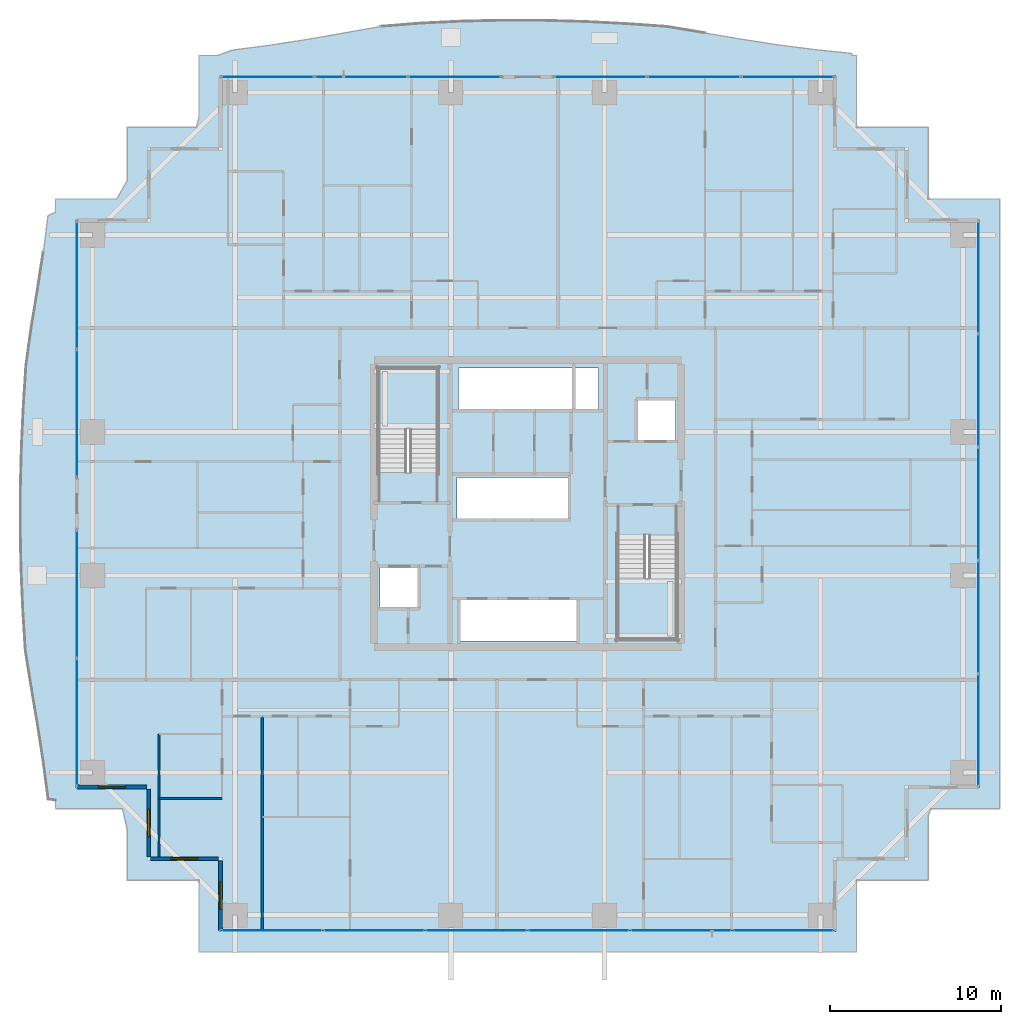
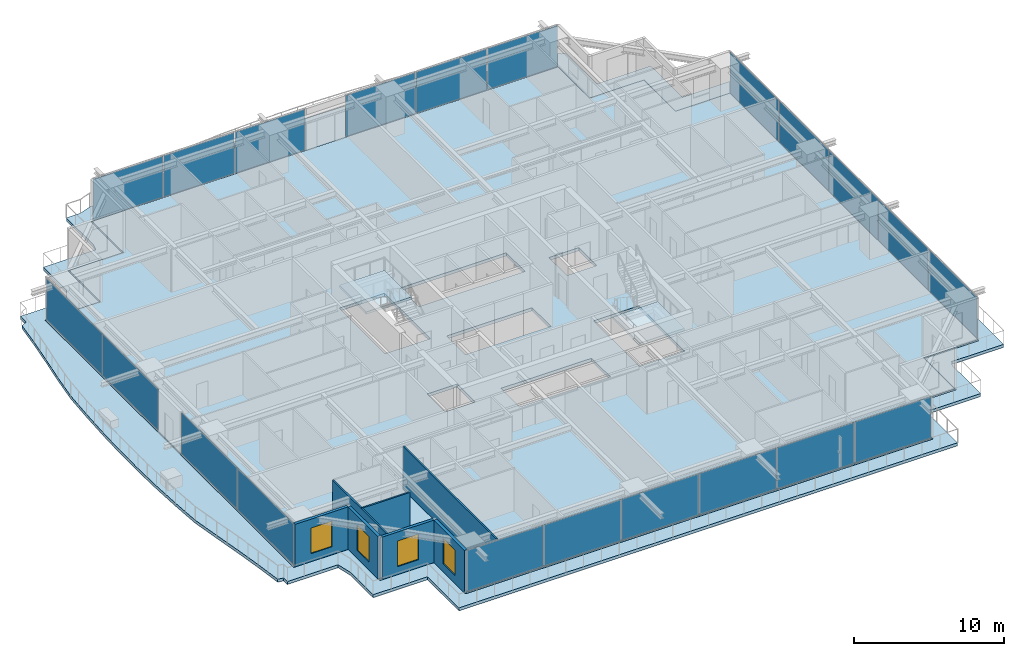
# One storey, part 22 of 36: 21 plates, 7 walls, 4 slabs, 4 windows, 4 openings, 8 elements without a shape of their own.
"""IFC4 building model written with IfcOpenShell, lengths in metres."""

from ifc_helpers import new_model, si_unit, direction, frame, frame_2d, origin, origin_2d, place, context, subcontext, project, spatial, polyline, rectangle, outline, extrude, source, transform, mapped, material, layer, layer_set, type_object, element, fill, aggregate, save


model = new_model("IFC4")

# Units and contexts
model_context = context("Model", 3, precision=1e-05, world=origin(), true_north=direction((0.0, 1.0)))
body_context = subcontext(model_context, "Body", "Model", "MODEL_VIEW")
ifc_project = project(units=[si_unit("LENGTHUNIT", "METRE"), si_unit("AREAUNIT", "SQUARE_METRE"), si_unit("VOLUMEUNIT", "CUBIC_METRE"), si_unit("PLANEANGLEUNIT", "RADIAN"), si_unit("MASSUNIT", "GRAM", prefix="KILO")], contexts=[model_context])

# Site, building, storey
site_placement = place(None, origin())
site = spatial("IfcSite", under=ifc_project, at=site_placement, CompositionType="ELEMENT")
building_placement = place(site_placement, origin())
building = spatial("IfcBuilding", under=site, at=building_placement, Name="Serunith Strait Residences", CompositionType="ELEMENT")
storey_placement = place(building_placement, frame((0.0, 0.0, 41.699951171875)))
storey = spatial("IfcBuildingStorey", under=building, at=storey_placement, Name="L09", CompositionType="ELEMENT", Elevation=41.699951171875)

# Slab
ifc_material_1 = material(Name="Concrete C50/60", Category="concrete")
ifc_layer_1 = layer(ifc_material_1, 0.239990234375, Name="Concrete C50/60")
ifc_layer_set_1 = layer_set([ifc_layer_1], Name="Concrete C50/60")
slab_type_1 = type_object("IfcSlabType", Name="SLB-BALC-240", PredefinedType="FLOOR", material=ifc_layer_set_1)
slab_1_placement = place(storey_placement, frame((0.0, 0.0, -0.2900390625)))
element("IfcSlab", 1, at=slab_1_placement, inside=storey, type_object=slab_type_1, Name="L09 Planted Vertical-Forest Balcony Slab", PredefinedType="FLOOR", context=body_context, shape_type="SweptSolid", body=[
    extrude(outline(polyline([(4.739990234375, 7.829833984375), (4.318603515625, 7.897216796875), (4.0380859375, 10.025390625), (3.7080078125, 12.17626953125), (3.340576171875, 14.366943359375), (2.9794921875, 16.618896484375), (2.832763671875, 18.974853515625), (2.73046875, 21.360107421875), (2.681396484375, 23.7646484375), (2.689453125, 26.17529296875), (2.752685546875, 28.578369140625), (2.8642578125, 30.961669921875), (3.01318359375, 33.316650390625), (3.3310546875, 35.5869140625), (3.693603515625, 37.7861328125), (4.0205078125, 39.945068359375), (4.29931640625, 42.079833984375), (4.739990234375, 42.28271484375), (4.739990234375, 43.06005859375), (8.32666015625, 43.06005859375), (8.93994140625, 44.139892578125), (8.93994140625, 47.260009765625), (12.990478515625, 47.260009765625), (13.139892578125, 47.826416015625), (13.139892578125, 51.4599609375), (14.225341796875, 51.4599609375), (15.106689453125, 51.778076171875), (17.228515625, 52.05224609375), (19.369873046875, 52.3837890625), (21.549560546875, 52.7626953125), (23.78759765625, 53.162109375), (26.1416015625, 53.348388671875), (28.53759765625, 53.46240234375), (30.955810546875, 53.517822265625), (33.38134765625, 53.509521484375), (35.798095703125, 53.440185546875), (38.192138671875, 53.317626953125), (40.553466796875, 53.155029296875), (42.805908203125, 52.77734375), (44.994873046875, 52.40283203125), (47.144775390625, 52.073486328125), (49.273193359375, 51.7998046875), (51.394287109375, 51.580810546875), (51.393310546875, 51.4599609375), (51.659912109375, 51.4599609375), (51.659912109375, 47.260009765625), (55.860107421875, 47.260009765625), (55.860107421875, 43.06005859375), (60.06005859375, 43.06005859375), (60.06005859375, 7.340087890625), (56.041259765625, 7.340087890625), (55.860107421875, 6.9423828125), (55.860107421875, 3.139892578125), (51.659912109375, 3.139892578125), (51.659912109375, -1.06005859375), (13.139892578125, -1.06005859375), (13.139892578125, 3.139892578125), (8.93994140625, 3.139892578125), (8.93994140625, 6.1171875), (8.6572265625, 7.340087890625), (4.739990234375, 7.340087890625), (4.739990234375, 7.829833984375)]), holes=[polyline([(50.455078125, 0.14501953125), (50.455078125, 4.344970703125), (54.655029296875, 4.344970703125), (54.655029296875, 8.544921875), (58.85498046875, 8.544921875), (58.85498046875, 41.85498046875), (54.655029296875, 41.85498046875), (54.655029296875, 46.054931640625), (50.455078125, 46.054931640625), (50.455078125, 50.2548828125), (14.344970703125, 50.2548828125), (14.344970703125, 46.054931640625), (10.14501953125, 46.054931640625), (10.14501953125, 41.85498046875), (5.945068359375, 41.85498046875), (5.945068359375, 8.544921875), (10.14501953125, 8.544921875), (10.14501953125, 4.344970703125), (14.344970703125, 4.344970703125), (14.344970703125, 0.14501953125), (50.455078125, 0.14501953125)])]), origin(), (0.0, 0.0, 1.0), 0.239990234375),
])

# Stair, slab
stair_type_1 = type_object("IfcStairType", Name="STR-CORE-1", PredefinedType="HALF_TURN_STAIR", material=ifc_material_1)
stair_1_placement = place(storey_placement, origin())
stair_1 = element("IfcStair", 2, at=stair_1_placement, inside=storey, type_object=stair_type_1, Name="L09 Protected Escape Stair ST-1", PredefinedType="HALF_TURN_STAIR")
ifc_layer_2 = layer(ifc_material_1, 0.199951171875, Name="Concrete C50/60")
ifc_layer_set_2 = layer_set([ifc_layer_2], Name="Concrete C50/60")
slab_type_2 = type_object("IfcSlabType", Name="SLB-LAND-200", PredefinedType="LANDING", material=ifc_layer_set_2)
slab_2_placement = place(storey_placement, frame((0.0, 0.0, 1.675048828125)))
slab_2 = element("IfcSlab", 3, at=slab_2_placement, type_object=slab_type_2, Name="ST-1 landing 1", PredefinedType="LANDING", context=body_context, shape_type="SweptSolid", body=[
    extrude(outline(polyline([(27.14990234375, 29.550048828125), (27.14990234375, 33.14990234375), (23.64990234375, 33.14990234375), (23.64990234375, 29.550048828125), (27.14990234375, 29.550048828125)])), origin(), (0.0, 0.0, 1.0), 0.199951171875),
])
aggregate(stair_1, [slab_2])

stair_type_2 = type_object("IfcStairType", Name="STR-CORE-2", PredefinedType="HALF_TURN_STAIR", material=ifc_material_1)
stair_2_placement = place(storey_placement, origin())
stair_2 = element("IfcStair", 4, at=stair_2_placement, inside=storey, type_object=stair_type_2, Name="L09 Protected Escape Stair ST-2", PredefinedType="HALF_TURN_STAIR")
slab_3_placement = place(storey_placement, frame((0.0, 0.0, 1.675048828125)))
slab_3 = element("IfcSlab", 5, at=slab_3_placement, type_object=slab_type_2, Name="ST-2 landing 1", PredefinedType="LANDING", context=body_context, shape_type="SweptSolid", body=[
    extrude(outline(polyline([(37.64990234375, 20.85009765625), (37.64990234375, 17.25), (41.14990234375, 17.25), (41.14990234375, 20.85009765625), (37.64990234375, 20.85009765625)])), origin(), (0.0, 0.0, 1.0), 0.199951171875),
])
aggregate(stair_2, [slab_3])

# Slab
ifc_material_2 = material(Name="Concrete C60/75", Category="concrete")
ifc_layer_3 = layer(ifc_material_2, 0.260009765625, Name="Concrete C60/75")
ifc_layer_set_3 = layer_set([ifc_layer_3], Name="Concrete C60/75")
slab_type_3 = type_object("IfcSlabType", Name="SLB-TWR-260-Z1", PredefinedType="FLOOR", material=ifc_layer_set_3)
slab_4_placement = place(storey_placement, frame((0.0, 0.0, -0.260009765625)))
element("IfcSlab", 6, at=slab_4_placement, inside=storey, type_object=slab_type_3, Name="L09 Structural Floor Plate", PredefinedType="FLOOR", context=body_context, shape_type="SweptSolid", body=[
    extrude(outline(polyline([(14.39990234375, 4.39990234375), (10.199951171875, 4.39990234375), (10.199951171875, 8.60009765625), (6.0, 8.60009765625), (6.0, 41.800048828125), (10.199951171875, 41.800048828125), (10.199951171875, 46.0), (14.39990234375, 46.0), (14.39990234375, 50.199951171875), (50.39990234375, 50.199951171875), (50.39990234375, 46.0), (54.60009765625, 46.0), (54.60009765625, 41.800048828125), (58.800048828125, 41.800048828125), (58.800048828125, 8.60009765625), (54.60009765625, 8.60009765625), (54.60009765625, 4.39990234375), (50.39990234375, 4.39990234375), (50.39990234375, 0.199951171875), (14.39990234375, 0.199951171875), (14.39990234375, 4.39990234375)]), holes=[polyline([(41.14990234375, 17.25), (41.14990234375, 23.3701171875), (37.64990234375, 23.3701171875), (37.64990234375, 17.25), (41.14990234375, 17.25)]), polyline([(41.050048828125, 31.25), (38.75, 31.25), (38.75, 28.85009765625), (41.050048828125, 28.85009765625), (41.050048828125, 31.25)]), polyline([(36.550048828125, 33.14990234375), (28.35009765625, 33.14990234375), (28.35009765625, 30.64990234375), (36.550048828125, 30.64990234375), (36.550048828125, 33.14990234375)]), polyline([(28.35009765625, 19.64990234375), (28.35009765625, 17.14990234375), (35.35009765625, 17.14990234375), (35.35009765625, 19.64990234375), (28.35009765625, 19.64990234375)]), polyline([(34.85009765625, 26.75), (28.25, 26.75), (28.25, 24.25), (34.85009765625, 24.25), (34.85009765625, 26.75)]), polyline([(23.64990234375, 33.14990234375), (23.64990234375, 27.030029296875), (27.14990234375, 27.030029296875), (27.14990234375, 33.14990234375), (23.64990234375, 33.14990234375)]), polyline([(26.050048828125, 21.550048828125), (23.75, 21.550048828125), (23.75, 19.14990234375), (26.050048828125, 19.14990234375), (26.050048828125, 21.550048828125)])]), origin(), (0.0, 0.0, 1.0), 0.260009765625),
])

# Curtain wall, plates
ifc_material_3 = material(Name="Pale-Champagne Anodised Aluminium", Category="aluminium")
ifc_layer_4 = layer(ifc_material_3, 0.199951171875, Name="Pale-Champagne Anodised Aluminium")
ifc_layer_set_4 = layer_set([ifc_layer_4], Name="Pale-Champagne Anodised Aluminium")
curtain_wall_type = type_object("IfcCurtainWallType", Name="CW-SYS1", PredefinedType="NOTDEFINED", material=ifc_layer_set_4)
curtain_wall_1_placement = place(storey_placement, origin())
curtain_wall_1 = element("IfcCurtainWall", 7, at=curtain_wall_1_placement, inside=storey, type_object=curtain_wall_type, Name="L09 S Unitised Fritted Curtain Wall", PredefinedType="NOTDEFINED")
ifc_material_4 = material(Name="Ceramic-Fritted Low-E Double Glazing 28mm", Category="glass")
ifc_layer_5 = layer(ifc_material_4, 0.028076171875, Name="Ceramic-Fritted Low-E Double Glazing 28mm")
ifc_layer_set_5 = layer_set([ifc_layer_5], Name="Ceramic-Fritted Low-E Double Glazing 28mm")
plate_type = type_object("IfcPlateType", Name="CW-SYS1-PNL", PredefinedType="CURTAIN_PANEL", material=ifc_layer_set_5)
shared_shape_1 = source(origin(), body_context, "Body", "SweptSolid", [
    extrude(rectangle(XDim=5.89501953125, YDim=0.028076171875, at=origin_2d()), origin(), (0.0, 0.0, 1.0), 3.35498046875),
])
plate_1_placement = place(storey_placement, frame((17.41748046875, 0.199951171875, 0.06005859375), z_axis=(0.0, 0.0, 1.0), x_axis=(1.0, 0.0, 0.0)))
plate_1 = element("IfcPlate", 8, at=plate_1_placement, type_object=plate_type, Name="CW-1 panel 1.1", PredefinedType="CURTAIN_PANEL", context=body_context, shape_type="MappedRepresentation", body=[
    mapped(shared_shape_1, transform((0.0, 0.0, 0.0), scale=1.0)),
])
plate_2_placement = place(storey_placement, frame((47.382568359375, 0.199951171875, 0.06005859375), z_axis=(0.0, 0.0, 1.0), x_axis=(1.0, 0.0, 0.0)))
plate_2 = element("IfcPlate", 9, at=plate_2_placement, type_object=plate_type, Name="CW-1 panel 6.1", PredefinedType="CURTAIN_PANEL", context=body_context, shape_type="MappedRepresentation", body=[
    mapped(shared_shape_1, transform((0.0, 0.0, 0.0), scale=1.0)),
])
shared_shape_2 = source(origin(), body_context, "Body", "SweptSolid", [
    extrude(rectangle(XDim=5.929931640625, YDim=0.028076171875, at=origin_2d()), origin(), (0.0, 0.0, 1.0), 3.35498046875),
])
plate_3_placement = place(storey_placement, frame((23.39990234375, 0.199951171875, 0.06005859375), z_axis=(0.0, 0.0, 1.0), x_axis=(1.0, 0.0, 0.0)))
plate_3 = element("IfcPlate", 10, at=plate_3_placement, type_object=plate_type, Name="CW-1 panel 2.1", PredefinedType="CURTAIN_PANEL", context=body_context, shape_type="MappedRepresentation", body=[
    mapped(shared_shape_2, transform((0.0, 0.0, 0.0), scale=1.0)),
])
plate_4_placement = place(storey_placement, frame((29.39990234375, 0.199951171875, 0.06005859375), z_axis=(0.0, 0.0, 1.0), x_axis=(1.0, 0.0, 0.0)))
plate_4 = element("IfcPlate", 11, at=plate_4_placement, type_object=plate_type, Name="CW-1 panel 3.1", PredefinedType="CURTAIN_PANEL", context=body_context, shape_type="MappedRepresentation", body=[
    mapped(shared_shape_2, transform((0.0, 0.0, 0.0), scale=1.0)),
])
plate_5_placement = place(storey_placement, frame((35.39990234375, 0.199951171875, 0.06005859375), z_axis=(0.0, 0.0, 1.0), x_axis=(1.0, 0.0, 0.0)))
plate_5 = element("IfcPlate", 12, at=plate_5_placement, type_object=plate_type, Name="CW-1 panel 4.1", PredefinedType="CURTAIN_PANEL", context=body_context, shape_type="MappedRepresentation", body=[
    mapped(shared_shape_2, transform((0.0, 0.0, 0.0), scale=1.0)),
])
plate_6_placement = place(storey_placement, frame((41.39990234375, 0.199951171875, 0.06005859375), z_axis=(0.0, 0.0, 1.0), x_axis=(1.0, 0.0, 0.0)))
plate_6 = element("IfcPlate", 13, at=plate_6_placement, type_object=plate_type, Name="CW-1 panel 5.1", PredefinedType="CURTAIN_PANEL", context=body_context, shape_type="MappedRepresentation", body=[
    mapped(shared_shape_2, transform((0.0, 0.0, 0.0), scale=1.0)),
])
aggregate(curtain_wall_1, [plate_1, plate_3, plate_4, plate_5, plate_6, plate_2])

curtain_wall_2_placement = place(storey_placement, origin())
curtain_wall_2 = element("IfcCurtainWall", 14, at=curtain_wall_2_placement, inside=storey, type_object=curtain_wall_type, Name="L09 W Unitised Fritted Curtain Wall", PredefinedType="NOTDEFINED")
shared_shape_3 = source(origin(), body_context, "Body", "SweptSolid", [
    extrude(rectangle(XDim=7.445068359375, YDim=0.028076171875, at=origin_2d()), origin(), (0.0, 0.0, 1.0), 3.35498046875),
])
plate_7_placement = place(storey_placement, frame((6.0, 38.007568359375, 0.06005859375), z_axis=(0.0, 0.0, 1.0), x_axis=(0.0, -1.0, 0.0)))
plate_7 = element("IfcPlate", 15, at=plate_7_placement, type_object=plate_type, Name="CW-1 panel 1.1", PredefinedType="CURTAIN_PANEL", context=body_context, shape_type="MappedRepresentation", body=[
    mapped(shared_shape_3, transform((0.0, 0.0, 0.0), scale=1.0)),
])
plate_8_placement = place(storey_placement, frame((6.0, 30.492431640625, 0.06005859375), z_axis=(0.0, 0.0, 1.0), x_axis=(0.0, -1.0, 0.0)))
plate_8 = element("IfcPlate", 16, at=plate_8_placement, type_object=plate_type, Name="CW-1 panel 2.1", PredefinedType="CURTAIN_PANEL", context=body_context, shape_type="MappedRepresentation", body=[
    mapped(shared_shape_3, transform((0.0, 0.0, 0.0), scale=1.0)),
])
aggregate(curtain_wall_2, [plate_7, plate_8])

curtain_wall_3_placement = place(storey_placement, origin())
curtain_wall_3 = element("IfcCurtainWall", 17, at=curtain_wall_3_placement, inside=storey, type_object=curtain_wall_type, Name="L09 W Unitised Fritted Curtain Wall", PredefinedType="NOTDEFINED")
plate_9_placement = place(storey_placement, frame((6.0, 19.907470703125, 0.06005859375), z_axis=(0.0, 0.0, 1.0), x_axis=(0.0, -1.0, 0.0)))
plate_9 = element("IfcPlate", 18, at=plate_9_placement, type_object=plate_type, Name="CW-1 panel 1.1", PredefinedType="CURTAIN_PANEL", context=body_context, shape_type="MappedRepresentation", body=[
    mapped(shared_shape_3, transform((0.0, 0.0, 0.0), scale=1.0)),
])
plate_10_placement = place(storey_placement, frame((6.0, 12.392578125, 0.06005859375), z_axis=(0.0, 0.0, 1.0), x_axis=(0.0, -1.0, 0.0)))
plate_10 = element("IfcPlate", 19, at=plate_10_placement, type_object=plate_type, Name="CW-1 panel 2.1", PredefinedType="CURTAIN_PANEL", context=body_context, shape_type="MappedRepresentation", body=[
    mapped(shared_shape_3, transform((0.0, 0.0, 0.0), scale=1.0)),
])
aggregate(curtain_wall_3, [plate_9, plate_10])

curtain_wall_4_placement = place(storey_placement, origin())
curtain_wall_4 = element("IfcCurtainWall", 20, at=curtain_wall_4_placement, inside=storey, type_object=curtain_wall_type, Name="L09 N Unitised Fritted Curtain Wall", PredefinedType="NOTDEFINED")
shared_shape_4 = source(origin(), body_context, "Body", "SweptSolid", [
    extrude(rectangle(XDim=5.39501953125, YDim=0.028076171875, at=origin_2d()), origin(), (0.0, 0.0, 1.0), 3.35498046875),
])
plate_11_placement = place(storey_placement, frame((47.632568359375, 50.199951171875, 0.06005859375), z_axis=(0.0, 0.0, 1.0), x_axis=(-1.0, 0.0, 0.0)))
plate_11 = element("IfcPlate", 21, at=plate_11_placement, type_object=plate_type, Name="CW-1 panel 1.1", PredefinedType="CURTAIN_PANEL", context=body_context, shape_type="MappedRepresentation", body=[
    mapped(shared_shape_4, transform((0.0, 0.0, 0.0), scale=1.0)),
])
plate_12_placement = place(storey_placement, frame((36.66748046875, 50.199951171875, 0.06005859375), z_axis=(0.0, 0.0, 1.0), x_axis=(-1.0, 0.0, 0.0)))
plate_12 = element("IfcPlate", 22, at=plate_12_placement, type_object=plate_type, Name="CW-1 panel 3.1", PredefinedType="CURTAIN_PANEL", context=body_context, shape_type="MappedRepresentation", body=[
    mapped(shared_shape_4, transform((0.0, 0.0, 0.0), scale=1.0)),
])

curtain_wall_5_placement = place(storey_placement, origin())
curtain_wall_5 = element("IfcCurtainWall", 23, at=curtain_wall_5_placement, inside=storey, type_object=curtain_wall_type, Name="L09 N Unitised Fritted Curtain Wall", PredefinedType="NOTDEFINED")
plate_13_placement = place(storey_placement, frame((28.132568359375, 50.199951171875, 0.06005859375), z_axis=(0.0, 0.0, 1.0), x_axis=(-1.0, 0.0, 0.0)))
plate_13 = element("IfcPlate", 24, at=plate_13_placement, type_object=plate_type, Name="CW-1 panel 1.1", PredefinedType="CURTAIN_PANEL", context=body_context, shape_type="MappedRepresentation", body=[
    mapped(shared_shape_4, transform((0.0, 0.0, 0.0), scale=1.0)),
])
plate_14_placement = place(storey_placement, frame((17.16748046875, 50.199951171875, 0.06005859375), z_axis=(0.0, 0.0, 1.0), x_axis=(-1.0, 0.0, 0.0)))
plate_14 = element("IfcPlate", 25, at=plate_14_placement, type_object=plate_type, Name="CW-1 panel 3.1", PredefinedType="CURTAIN_PANEL", context=body_context, shape_type="MappedRepresentation", body=[
    mapped(shared_shape_4, transform((0.0, 0.0, 0.0), scale=1.0)),
])

# Plate
shared_shape_5 = source(origin(), body_context, "Body", "SweptSolid", [
    extrude(rectangle(XDim=5.429931640625, YDim=0.028076171875, at=origin_2d()), origin(), (0.0, 0.0, 1.0), 3.35498046875),
])
plate_15_placement = place(storey_placement, frame((42.14990234375, 50.199951171875, 0.06005859375), z_axis=(0.0, 0.0, 1.0), x_axis=(-1.0, 0.0, 0.0)))
plate_15 = element("IfcPlate", 26, at=plate_15_placement, type_object=plate_type, Name="CW-1 panel 2.1", PredefinedType="CURTAIN_PANEL", context=body_context, shape_type="MappedRepresentation", body=[
    mapped(shared_shape_5, transform((0.0, 0.0, 0.0), scale=1.0)),
])

aggregate(curtain_wall_4, [plate_11, plate_15, plate_12])

plate_16_placement = place(storey_placement, frame((22.64990234375, 50.199951171875, 0.06005859375), z_axis=(0.0, 0.0, 1.0), x_axis=(-1.0, 0.0, 0.0)))
plate_16 = element("IfcPlate", 27, at=plate_16_placement, type_object=plate_type, Name="CW-1 panel 2.1", PredefinedType="CURTAIN_PANEL", context=body_context, shape_type="MappedRepresentation", body=[
    mapped(shared_shape_5, transform((0.0, 0.0, 0.0), scale=1.0)),
])

aggregate(curtain_wall_5, [plate_13, plate_16, plate_14])

# Curtain wall, plates
curtain_wall_6_placement = place(storey_placement, origin())
curtain_wall_6 = element("IfcCurtainWall", 28, at=curtain_wall_6_placement, inside=storey, type_object=curtain_wall_type, Name="L09 E Unitised Fritted Curtain Wall", PredefinedType="NOTDEFINED")
shared_shape_6 = source(origin(), body_context, "Body", "SweptSolid", [
    extrude(rectangle(XDim=6.534912109375, YDim=0.028076171875, at=origin_2d()), origin(), (0.0, 0.0, 1.0), 3.35498046875),
])
plate_17_placement = place(storey_placement, frame((58.800048828125, 11.9375, 0.06005859375), z_axis=(0.0, 0.0, 1.0), x_axis=(0.0, 1.0, 0.0)))
plate_17 = element("IfcPlate", 29, at=plate_17_placement, type_object=plate_type, Name="CW-1 panel 1.1", PredefinedType="CURTAIN_PANEL", context=body_context, shape_type="MappedRepresentation", body=[
    mapped(shared_shape_6, transform((0.0, 0.0, 0.0), scale=1.0)),
])
plate_18_placement = place(storey_placement, frame((58.800048828125, 38.46240234375, 0.06005859375), z_axis=(0.0, 0.0, 1.0), x_axis=(0.0, 1.0, 0.0)))
plate_18 = element("IfcPlate", 30, at=plate_18_placement, type_object=plate_type, Name="CW-1 panel 5.1", PredefinedType="CURTAIN_PANEL", context=body_context, shape_type="MappedRepresentation", body=[
    mapped(shared_shape_6, transform((0.0, 0.0, 0.0), scale=1.0)),
])
shared_shape_7 = source(origin(), body_context, "Body", "SweptSolid", [
    extrude(rectangle(XDim=6.570068359375, YDim=0.028076171875, at=origin_2d()), origin(), (0.0, 0.0, 1.0), 3.35498046875),
])
plate_19_placement = place(storey_placement, frame((58.800048828125, 18.56005859375, 0.06005859375), z_axis=(0.0, 0.0, 1.0), x_axis=(0.0, 1.0, 0.0)))
plate_19 = element("IfcPlate", 31, at=plate_19_placement, type_object=plate_type, Name="CW-1 panel 2.1", PredefinedType="CURTAIN_PANEL", context=body_context, shape_type="MappedRepresentation", body=[
    mapped(shared_shape_7, transform((0.0, 0.0, 0.0), scale=1.0)),
])
plate_20_placement = place(storey_placement, frame((58.800048828125, 25.199951171875, 0.06005859375), z_axis=(0.0, 0.0, 1.0), x_axis=(0.0, 1.0, 0.0)))
plate_20 = element("IfcPlate", 32, at=plate_20_placement, type_object=plate_type, Name="CW-1 panel 3.1", PredefinedType="CURTAIN_PANEL", context=body_context, shape_type="MappedRepresentation", body=[
    mapped(shared_shape_7, transform((0.0, 0.0, 0.0), scale=1.0)),
])
plate_21_placement = place(storey_placement, frame((58.800048828125, 31.840087890625, 0.06005859375), z_axis=(0.0, 0.0, 1.0), x_axis=(0.0, 1.0, 0.0)))
plate_21 = element("IfcPlate", 33, at=plate_21_placement, type_object=plate_type, Name="CW-1 panel 4.1", PredefinedType="CURTAIN_PANEL", context=body_context, shape_type="MappedRepresentation", body=[
    mapped(shared_shape_7, transform((0.0, 0.0, 0.0), scale=1.0)),
])
aggregate(curtain_wall_6, [plate_17, plate_19, plate_20, plate_21, plate_18])

# Wall, opening, window
ifc_material_5 = material(Name="Pale-Champagne Aluminium Insulated Panel", Category="aluminium")
ifc_layer_6 = layer(ifc_material_5, 0.219970703125, Name="Pale-Champagne Aluminium Insulated Panel")
ifc_layer_set_6 = layer_set([ifc_layer_6], Name="Pale-Champagne Aluminium Insulated Panel")
wall_type_1 = type_object("IfcWallType", Name="EW-ALUM-220", PredefinedType="ELEMENTEDWALL", material=ifc_layer_set_6)
wall_1_placement = place(storey_placement, frame((6.0, 8.60009765625, 0.0), z_axis=(0.0, 0.0, 1.0), x_axis=(1.0, 0.0, 0.0)))
wall_1 = element("IfcWall", 34, at=wall_1_placement, inside=storey, type_object=wall_type_1, Name="L09 Girih Serrated Corner Wall 17", PredefinedType="ELEMENTEDWALL", context=body_context, shape_type="SweptSolid", body=[
    extrude(rectangle(XDim=4.090087890625, YDim=0.219970703125, at=frame_2d((2.044921875, 0.0))), origin(), (0.0, 0.0, 1.0), 3.47509765625),
])
opening_1_placement = place(wall_1_placement, frame((1.2451171875, 0.0, 0.64990234375)))
opening_1 = element("IfcOpeningElement", 35, at=opening_1_placement, cuts=wall_1, Name="Opening W-02", PredefinedType="OPENING", context=body_context, shape_type="SweptSolid", body=[
    extrude(rectangle(XDim=1.60009765625, YDim=2.10009765625, at=frame_2d((0.800048828125, 1.050048828125))), frame((0.0, 0.1201171875, 0.0), z_axis=(0.0, -1.0, 0.0), x_axis=(1.0, 0.0, 0.0)), (0.0, 0.0, 1.0), 0.239990234375),
])
ifc_material_6 = material(Name="Ceramic-Fritted Operable Aluminium Window Glass", Category="aluminium")
window_type = type_object("IfcWindowType", Name="WIN-C2", PartitioningType="DOUBLE_PANEL_VERTICAL", PredefinedType="WINDOW", material=ifc_material_6)
shared_shape_8 = source(origin(), body_context, "Body", "SweptSolid", [
    extrude(rectangle(XDim=1.60009765625, YDim=2.10009765625, at=frame_2d((0.800048828125, 1.050048828125))), frame((0.0, 0.030029296875, 0.0), z_axis=(0.0, -1.0, 0.0), x_axis=(1.0, 0.0, 0.0)), (0.0, 0.0, 1.0), 0.06005859375),
])
window_1_placement = place(opening_1_placement, origin())
window_1 = element("IfcWindow", 36, at=window_1_placement, inside=storey, type_object=window_type, Name="L09 Corner Operable Fritted Window 17", OverallHeight=2.10009765625, OverallWidth=1.60009765625, PartitioningType="SINGLE_PANEL", PredefinedType="WINDOW", context=body_context, shape_type="MappedRepresentation", body=[
    mapped(shared_shape_8, transform((0.0, 0.0, 0.0), scale=1.0)),
])
fill(opening_1, window_1)

wall_2_placement = place(storey_placement, frame((10.199951171875, 8.489990234375, 0.0), z_axis=(0.0, 0.0, 1.0), x_axis=(0.0, -1.0, 0.0)))
wall_2 = element("IfcWall", 37, at=wall_2_placement, inside=storey, type_object=wall_type_1, Name="L09 Girih Serrated Corner Wall 18", PredefinedType="ELEMENTEDWALL", context=body_context, shape_type="SweptSolid", body=[
    extrude(rectangle(XDim=3.97998046875, YDim=0.219970703125, at=frame_2d((1.989990234375, 0.0))), origin(), (0.0, 0.0, 1.0), 3.47509765625),
])
opening_2_placement = place(wall_2_placement, frame((1.18994140625, 0.0, 0.64990234375)))
opening_2 = element("IfcOpeningElement", 38, at=opening_2_placement, cuts=wall_2, Name="Opening W-02", PredefinedType="OPENING", context=body_context, shape_type="SweptSolid", body=[
    extrude(rectangle(XDim=1.60009765625, YDim=2.10009765625, at=frame_2d((0.800048828125, 1.050048828125))), frame((0.0, 0.1201171875, 0.0), z_axis=(0.0, -1.0, 0.0), x_axis=(1.0, 0.0, 0.0)), (0.0, 0.0, 1.0), 0.239990234375),
])
window_2_placement = place(opening_2_placement, origin())
window_2 = element("IfcWindow", 39, at=window_2_placement, inside=storey, type_object=window_type, Name="L09 Corner Operable Fritted Window 18", OverallHeight=2.10009765625, OverallWidth=1.60009765625, PartitioningType="SINGLE_PANEL", PredefinedType="WINDOW", context=body_context, shape_type="MappedRepresentation", body=[
    mapped(shared_shape_8, transform((0.0, 0.0, 0.0), scale=1.0)),
])
fill(opening_2, window_2)

wall_3_placement = place(storey_placement, frame((10.31005859375, 4.39990234375, 0.0), z_axis=(0.0, 0.0, 1.0), x_axis=(1.0, 0.0, 0.0)))
wall_3 = element("IfcWall", 40, at=wall_3_placement, inside=storey, type_object=wall_type_1, Name="L09 Girih Serrated Corner Wall 19", PredefinedType="ELEMENTEDWALL", context=body_context, shape_type="SweptSolid", body=[
    extrude(rectangle(XDim=3.97998046875, YDim=0.219970703125, at=frame_2d((1.989990234375, 0.0))), origin(), (0.0, 0.0, 1.0), 3.47509765625),
])
opening_3_placement = place(wall_3_placement, frame((1.18994140625, 0.0, 0.64990234375)))
opening_3 = element("IfcOpeningElement", 41, at=opening_3_placement, cuts=wall_3, Name="Opening W-02", PredefinedType="OPENING", context=body_context, shape_type="SweptSolid", body=[
    extrude(rectangle(XDim=1.60009765625, YDim=2.10009765625, at=frame_2d((0.800048828125, 1.050048828125))), frame((0.0, 0.1201171875, 0.0), z_axis=(0.0, -1.0, 0.0), x_axis=(1.0, 0.0, 0.0)), (0.0, 0.0, 1.0), 0.239990234375),
])
window_3_placement = place(opening_3_placement, origin())
window_3 = element("IfcWindow", 42, at=window_3_placement, inside=storey, type_object=window_type, Name="L09 Corner Operable Fritted Window 19", OverallHeight=2.10009765625, OverallWidth=1.60009765625, PartitioningType="SINGLE_PANEL", PredefinedType="WINDOW", context=body_context, shape_type="MappedRepresentation", body=[
    mapped(shared_shape_8, transform((0.0, 0.0, 0.0), scale=1.0)),
])
fill(opening_3, window_3)

wall_4_placement = place(storey_placement, frame((14.39990234375, 4.2900390625, 0.0), z_axis=(0.0, 0.0, 1.0), x_axis=(0.0, -1.0, 0.0)))
wall_4 = element("IfcWall", 43, at=wall_4_placement, inside=storey, type_object=wall_type_1, Name="L09 Girih Serrated Corner Wall 20", PredefinedType="ELEMENTEDWALL", context=body_context, shape_type="SweptSolid", body=[
    extrude(rectangle(XDim=4.090087890625, YDim=0.219970703125, at=frame_2d((2.044921875, 0.0))), origin(), (0.0, 0.0, 1.0), 3.47509765625),
])
opening_4_placement = place(wall_4_placement, frame((1.2451171875, 0.0, 0.64990234375)))
opening_4 = element("IfcOpeningElement", 44, at=opening_4_placement, cuts=wall_4, Name="Opening W-02", PredefinedType="OPENING", context=body_context, shape_type="SweptSolid", body=[
    extrude(rectangle(XDim=1.60009765625, YDim=2.10009765625, at=frame_2d((0.800048828125, 1.050048828125))), frame((0.0, 0.1201171875, 0.0), z_axis=(0.0, -1.0, 0.0), x_axis=(1.0, 0.0, 0.0)), (0.0, 0.0, 1.0), 0.239990234375),
])
window_4_placement = place(opening_4_placement, origin())
window_4 = element("IfcWindow", 45, at=window_4_placement, inside=storey, type_object=window_type, Name="L09 Corner Operable Fritted Window 20", OverallHeight=2.10009765625, OverallWidth=1.60009765625, PartitioningType="SINGLE_PANEL", PredefinedType="WINDOW", context=body_context, shape_type="MappedRepresentation", body=[
    mapped(shared_shape_8, transform((0.0, 0.0, 0.0), scale=1.0)),
])
fill(opening_4, window_4)

# Walls
ifc_material_7 = material(Name="Lightweight steel-stud gypsum partition", Category="steel")
ifc_layer_7 = layer(ifc_material_7, 0.1201171875, Name="Lightweight steel-stud gypsum partition")
ifc_layer_set_7 = layer_set([ifc_layer_7], Name="Lightweight steel-stud gypsum partition")
wall_type_2 = type_object("IfcWallType", Name="IW-PART-120", PredefinedType="PARTITIONING", material=ifc_layer_set_7)
wall_5_placement = place(storey_placement, frame((16.85009765625, 0.294921875, 0.0), z_axis=(0.0, 0.0, 1.0), x_axis=(0.0, 1.0, 0.0)))
element("IfcWall", 46, at=wall_5_placement, inside=storey, type_object=wall_type_2, Name="L09 Partition Wall 033", PredefinedType="PARTITIONING", context=body_context, shape_type="SweptSolid", body=[
    extrude(rectangle(XDim=12.455078125, YDim=0.1201171875, at=frame_2d((6.2275390625, 0.0))), origin(), (0.0, 0.0, 1.0), 3.489990234375),
])
wall_6_placement = place(storey_placement, frame((10.800048828125, 7.923095703125, 0.0), z_axis=(0.0, 0.0, 1.0), x_axis=(1.0, 0.0, 0.0)))
element("IfcWall", 47, at=wall_6_placement, inside=storey, type_object=wall_type_2, Name="L09 Partition Wall 038", PredefinedType="PARTITIONING", context=body_context, shape_type="SweptSolid", body=[
    extrude(rectangle(XDim=3.699951171875, YDim=0.1201171875, at=frame_2d((1.85009765625, 0.0))), origin(), (0.0, 0.0, 1.0), 3.489990234375),
])
wall_7_placement = place(storey_placement, frame((10.800048828125, 4.4951171875, 0.0), z_axis=(0.0, 0.0, 1.0), x_axis=(0.0, 1.0, 0.0)))
element("IfcWall", 48, at=wall_7_placement, inside=storey, type_object=wall_type_2, Name="L09 Partition Wall 039", PredefinedType="PARTITIONING", context=body_context, shape_type="SweptSolid", body=[
    extrude(rectangle(XDim=7.2119140625, YDim=0.1201171875, at=frame_2d((3.60595703125, 0.0))), origin(), (0.0, 0.0, 1.0), 3.489990234375),
])

save(model, "model.ifc")
